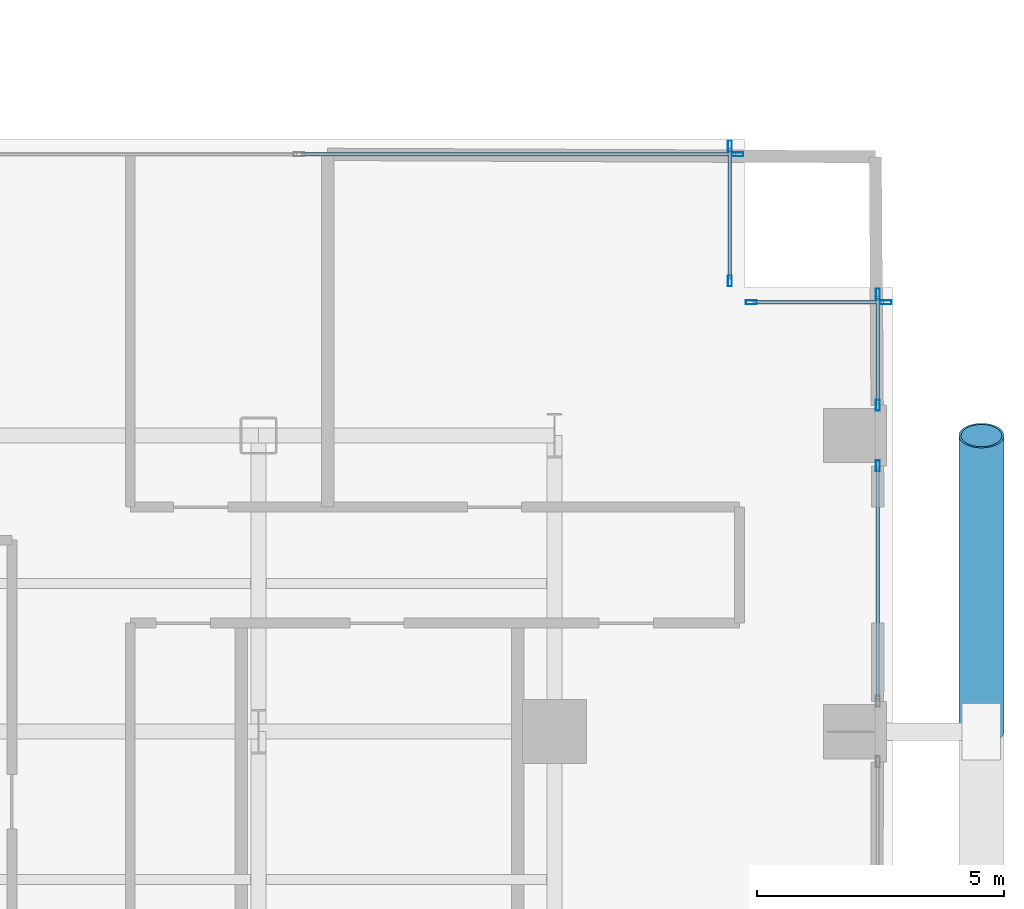
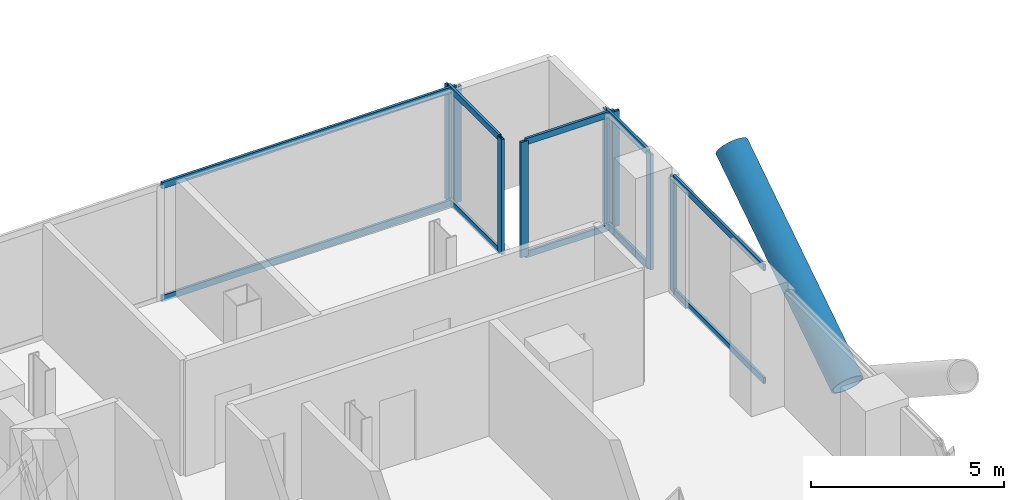
# One storey, part 12 of 25: 19 members, 5 elements without a shape of their own.
"""IFC4 building model written with IfcOpenShell, lengths in metres."""

from ifc_helpers import new_model, si_unit, direction, frame, origin, origin_2d, place, context, subcontext, project, spatial, hollow_rectangle, hollow_circle, extrude, material, layer, layer_set, material_profile, profile_set, type_object, element, aggregate, save


model = new_model("IFC4")

# Units and contexts
model_context = context("Model", 3, precision=1e-05, world=origin(), true_north=direction((0.0, 1.0)))
body_context = subcontext(model_context, "Body", "Model", "MODEL_VIEW")
ifc_project = project(units=[si_unit("LENGTHUNIT", "METRE"), si_unit("AREAUNIT", "SQUARE_METRE"), si_unit("VOLUMEUNIT", "CUBIC_METRE"), si_unit("PLANEANGLEUNIT", "RADIAN"), si_unit("MASSUNIT", "GRAM", prefix="KILO"), si_unit("THERMODYNAMICTEMPERATUREUNIT", "KELVIN"), si_unit("POWERUNIT", "WATT")], contexts=[model_context])

# Site, building, storey
site_placement = place(None, origin())
site = spatial("IfcSite", under=ifc_project, at=site_placement, CompositionType="ELEMENT")
building_placement = place(site_placement, origin())
building = spatial("IfcBuilding", under=site, at=building_placement, Name="Svarakhadi Broadcast Tower", CompositionType="ELEMENT")
storey_placement = place(building_placement, frame((0.0, 0.0, 83.10009765625)))
storey = spatial("IfcBuildingStorey", under=building, at=storey_placement, Name="L19", CompositionType="ELEMENT", Elevation=83.10009765625)

# Curtain wall, member
ifc_material_1 = material(Name="Anodised Bronze Aluminium AA 6063-T6", Category="aluminium")
ifc_layer = layer(ifc_material_1, 0.219970703125)
ifc_layer_set = layer_set([ifc_layer], Name="Anodised Bronze Aluminium AA 6063-T6")
curtain_wall_type = type_object("IfcCurtainWallType", Name="CW_Sys_02", PredefinedType="NOTDEFINED", material=ifc_layer_set)
curtain_wall_1_placement = place(storey_placement, origin())
curtain_wall_1 = element("IfcCurtainWall", 1, at=curtain_wall_1_placement, inside=storey, type_object=curtain_wall_type, Name="L19 Unitised Facade Curtain Wall 10", PredefinedType="NOTDEFINED")
ifc_material_profile_1 = material_profile(ifc_material_1, hollow_rectangle(XDim=0.0849609375, YDim=0.219970703125, WallThickness=0.006103515625, at=origin_2d()), Name="ALU MULLION 220x85x6")
ifc_profile_set_1 = profile_set([ifc_material_profile_1], Name="Anodised Bronze Aluminium AA 6063-T6")
member_type_1 = type_object("IfcMemberType", Name="CW_Sys_02_Mul", PredefinedType="MULLION", material=ifc_profile_set_1)
member_1_placement = place(storey_placement, frame((50.867431640625, 23.699951171875, 0.0), z_axis=(0.0, 0.0, 1.0), x_axis=(0.0, 1.0, 0.0)))
member_1 = element("IfcMember", 2, at=member_1_placement, type_object=member_type_1, Name="CW-02 mullion 4", PredefinedType="MULLION", context=body_context, shape_type="SweptSolid", body=[
    extrude(hollow_rectangle(XDim=0.0849609375, YDim=0.219970703125, WallThickness=0.006103515625, at=origin_2d()), origin(), (0.0, 0.0, 1.0), 3.64990234375),
])

# Curtain wall, members
curtain_wall_2_placement = place(storey_placement, origin())
curtain_wall_2 = element("IfcCurtainWall", 3, at=curtain_wall_2_placement, inside=storey, type_object=curtain_wall_type, Name="L19 Unitised Facade Curtain Wall 11", PredefinedType="NOTDEFINED")
member_2_placement = place(storey_placement, frame((50.699951171875, 23.867431640625, 0.0), z_axis=(0.0, 0.0, 1.0), x_axis=(1.0, 0.0, 0.0)))
member_2 = element("IfcMember", 4, at=member_2_placement, type_object=member_type_1, Name="CW-02 mullion 1", PredefinedType="MULLION", context=body_context, shape_type="SweptSolid", body=[
    extrude(hollow_rectangle(XDim=0.0849609375, YDim=0.219970703125, WallThickness=0.006103515625, at=origin_2d()), origin(), (0.0, 0.0, 1.0), 3.64990234375),
])
member_3_placement = place(storey_placement, frame((50.699951171875, 21.132568359375, 0.0), z_axis=(0.0, 0.0, 1.0), x_axis=(1.0, 0.0, 0.0)))
member_3 = element("IfcMember", 5, at=member_3_placement, type_object=member_type_1, Name="CW-02 mullion 2", PredefinedType="MULLION", context=body_context, shape_type="SweptSolid", body=[
    extrude(hollow_rectangle(XDim=0.0849609375, YDim=0.219970703125, WallThickness=0.006103515625, at=origin_2d()), origin(), (0.0, 0.0, 1.0), 3.64990234375),
])

curtain_wall_3_placement = place(storey_placement, origin())
curtain_wall_3 = element("IfcCurtainWall", 6, at=curtain_wall_3_placement, inside=storey, type_object=curtain_wall_type, Name="L19 Unitised Facade Curtain Wall 12", PredefinedType="NOTDEFINED")
member_4_placement = place(storey_placement, frame((51.132568359375, 20.699951171875, 0.0), z_axis=(0.0, 0.0, 1.0), x_axis=(0.0, 1.0, 0.0)))
member_4 = element("IfcMember", 7, at=member_4_placement, type_object=member_type_1, Name="CW-02 mullion 1", PredefinedType="MULLION", context=body_context, shape_type="SweptSolid", body=[
    extrude(hollow_rectangle(XDim=0.0849609375, YDim=0.219970703125, WallThickness=0.006103515625, at=origin_2d()), origin(), (0.0, 0.0, 1.0), 3.64990234375),
])
member_5_placement = place(storey_placement, frame((53.867431640625, 20.699951171875, 0.0), z_axis=(0.0, 0.0, 1.0), x_axis=(0.0, 1.0, 0.0)))
member_5 = element("IfcMember", 8, at=member_5_placement, type_object=member_type_1, Name="CW-02 mullion 2", PredefinedType="MULLION", context=body_context, shape_type="SweptSolid", body=[
    extrude(hollow_rectangle(XDim=0.0849609375, YDim=0.219970703125, WallThickness=0.006103515625, at=origin_2d()), origin(), (0.0, 0.0, 1.0), 3.64990234375),
])

curtain_wall_4_placement = place(storey_placement, origin())
curtain_wall_4 = element("IfcCurtainWall", 9, at=curtain_wall_4_placement, inside=storey, type_object=curtain_wall_type, Name="L19 Unitised Facade Curtain Wall 13 Bay 1", PredefinedType="NOTDEFINED")
member_6_placement = place(storey_placement, frame((53.699951171875, 20.867431640625, 0.0), z_axis=(0.0, 0.0, 1.0), x_axis=(1.0, 0.0, 0.0)))
member_6 = element("IfcMember", 10, at=member_6_placement, type_object=member_type_1, Name="CW-02 mullion 1", PredefinedType="MULLION", context=body_context, shape_type="SweptSolid", body=[
    extrude(hollow_rectangle(XDim=0.0849609375, YDim=0.219970703125, WallThickness=0.006103515625, at=origin_2d()), origin(), (0.0, 0.0, 1.0), 3.64990234375),
])
member_7_placement = place(storey_placement, frame((53.699951171875, 18.612548828125, 0.0), z_axis=(0.0, 0.0, 1.0), x_axis=(1.0, 0.0, 0.0)))
member_7 = element("IfcMember", 11, at=member_7_placement, type_object=member_type_1, Name="CW-02 mullion 2", PredefinedType="MULLION", context=body_context, shape_type="SweptSolid", body=[
    extrude(hollow_rectangle(XDim=0.0849609375, YDim=0.219970703125, WallThickness=0.006103515625, at=origin_2d()), origin(), (0.0, 0.0, 1.0), 3.64990234375),
])

# Curtain wall, member
curtain_wall_5_placement = place(storey_placement, origin())
curtain_wall_5 = element("IfcCurtainWall", 12, at=curtain_wall_5_placement, inside=storey, type_object=curtain_wall_type, Name="L19 Unitised Facade Curtain Wall 13 Bay 2", PredefinedType="NOTDEFINED")
member_8_placement = place(storey_placement, frame((53.699951171875, 17.387451171875, 0.0), z_axis=(0.0, 0.0, 1.0), x_axis=(1.0, 0.0, 0.0)))
member_8 = element("IfcMember", 13, at=member_8_placement, type_object=member_type_1, Name="CW-02 mullion 1", PredefinedType="MULLION", context=body_context, shape_type="SweptSolid", body=[
    extrude(hollow_rectangle(XDim=0.0849609375, YDim=0.219970703125, WallThickness=0.006103515625, at=origin_2d()), origin(), (0.0, 0.0, 1.0), 3.64990234375),
])

# Member
ifc_material_profile_2 = material_profile(ifc_material_1, hollow_rectangle(XDim=0.074951171875, YDim=0.199951171875, WallThickness=0.0048828125, at=origin_2d()), Name="ALU TRANSOM 200x75x5")
ifc_profile_set_2 = profile_set([ifc_material_profile_2], Name="Anodised Bronze Aluminium AA 6063-T6")
member_type_2 = type_object("IfcMemberType", Name="CW_Sys_02_Trn", PredefinedType="USERDEFINED", material=ifc_profile_set_2)
member_9_placement = place(storey_placement, frame((42.012451171875, 23.699951171875, 0.037353515625), z_axis=(1.0, 0.0, 0.0), x_axis=(0.0, 1.0, 0.0)))
member_9 = element("IfcMember", 14, at=member_9_placement, type_object=member_type_2, Name="CW-02 transom 3.1", ObjectType="TRANSOM", PredefinedType="USERDEFINED", context=body_context, shape_type="SweptSolid", body=[
    extrude(hollow_rectangle(XDim=0.074951171875, YDim=0.199951171875, WallThickness=0.0048828125, at=origin_2d()), origin(), (0.0, 0.0, 1.0), 8.8125),
])

member_10_placement = place(storey_placement, frame((42.012451171875, 23.699951171875, 3.6123046875), z_axis=(1.0, 0.0, 0.0), x_axis=(0.0, 1.0, 0.0)))
member_10 = element("IfcMember", 15, at=member_10_placement, type_object=member_type_2, Name="CW-02 transom 3.2", ObjectType="TRANSOM", PredefinedType="USERDEFINED", context=body_context, shape_type="SweptSolid", body=[
    extrude(hollow_rectangle(XDim=0.074951171875, YDim=0.199951171875, WallThickness=0.0048828125, at=origin_2d()), origin(), (0.0, 0.0, 1.0), 8.8125),
])

aggregate(curtain_wall_1, [member_1, member_9, member_10])

member_11_placement = place(storey_placement, frame((50.699951171875, 23.824951171875, 0.037353515625), z_axis=(0.0, -1.0, 0.0), x_axis=(1.0, 0.0, 0.0)))
member_11 = element("IfcMember", 16, at=member_11_placement, type_object=member_type_2, Name="CW-02 transom 1.1", ObjectType="TRANSOM", PredefinedType="USERDEFINED", context=body_context, shape_type="SweptSolid", body=[
    extrude(hollow_rectangle(XDim=0.074951171875, YDim=0.199951171875, WallThickness=0.0048828125, at=origin_2d()), origin(), (0.0, 0.0, 1.0), 2.64990234375),
])

member_12_placement = place(storey_placement, frame((50.699951171875, 23.824951171875, 3.6123046875), z_axis=(0.0, -1.0, 0.0), x_axis=(1.0, 0.0, 0.0)))
member_12 = element("IfcMember", 17, at=member_12_placement, type_object=member_type_2, Name="CW-02 transom 1.2", ObjectType="TRANSOM", PredefinedType="USERDEFINED", context=body_context, shape_type="SweptSolid", body=[
    extrude(hollow_rectangle(XDim=0.074951171875, YDim=0.199951171875, WallThickness=0.0048828125, at=origin_2d()), origin(), (0.0, 0.0, 1.0), 2.64990234375),
])

aggregate(curtain_wall_2, [member_2, member_3, member_11, member_12])

member_13_placement = place(storey_placement, frame((51.175048828125, 20.699951171875, 0.037353515625), z_axis=(1.0, 0.0, 0.0), x_axis=(0.0, 1.0, 0.0)))
member_13 = element("IfcMember", 18, at=member_13_placement, type_object=member_type_2, Name="CW-02 transom 1.1", ObjectType="TRANSOM", PredefinedType="USERDEFINED", context=body_context, shape_type="SweptSolid", body=[
    extrude(hollow_rectangle(XDim=0.074951171875, YDim=0.199951171875, WallThickness=0.0048828125, at=origin_2d()), origin(), (0.0, 0.0, 1.0), 2.64990234375),
])

member_14_placement = place(storey_placement, frame((51.175048828125, 20.699951171875, 3.6123046875), z_axis=(1.0, 0.0, 0.0), x_axis=(0.0, 1.0, 0.0)))
member_14 = element("IfcMember", 19, at=member_14_placement, type_object=member_type_2, Name="CW-02 transom 1.2", ObjectType="TRANSOM", PredefinedType="USERDEFINED", context=body_context, shape_type="SweptSolid", body=[
    extrude(hollow_rectangle(XDim=0.074951171875, YDim=0.199951171875, WallThickness=0.0048828125, at=origin_2d()), origin(), (0.0, 0.0, 1.0), 2.64990234375),
])

aggregate(curtain_wall_3, [member_4, member_5, member_13, member_14])

member_15_placement = place(storey_placement, frame((53.699951171875, 20.824951171875, 0.037353515625), z_axis=(0.0, -1.0, 0.0), x_axis=(1.0, 0.0, 0.0)))
member_15 = element("IfcMember", 20, at=member_15_placement, type_object=member_type_2, Name="CW-02 transom 1.1", ObjectType="TRANSOM", PredefinedType="USERDEFINED", context=body_context, shape_type="SweptSolid", body=[
    extrude(hollow_rectangle(XDim=0.074951171875, YDim=0.199951171875, WallThickness=0.0048828125, at=origin_2d()), origin(), (0.0, 0.0, 1.0), 2.169921875),
])

member_16_placement = place(storey_placement, frame((53.699951171875, 20.824951171875, 3.6123046875), z_axis=(0.0, -1.0, 0.0), x_axis=(1.0, 0.0, 0.0)))
member_16 = element("IfcMember", 21, at=member_16_placement, type_object=member_type_2, Name="CW-02 transom 1.2", ObjectType="TRANSOM", PredefinedType="USERDEFINED", context=body_context, shape_type="SweptSolid", body=[
    extrude(hollow_rectangle(XDim=0.074951171875, YDim=0.199951171875, WallThickness=0.0048828125, at=origin_2d()), origin(), (0.0, 0.0, 1.0), 2.169921875),
])

aggregate(curtain_wall_4, [member_6, member_7, member_15, member_16])

member_17_placement = place(storey_placement, frame((53.699951171875, 17.344970703125, 0.037353515625), z_axis=(0.0, -1.0, 0.0), x_axis=(1.0, 0.0, 0.0)))
member_17 = element("IfcMember", 22, at=member_17_placement, type_object=member_type_2, Name="CW-02 transom 1.1", ObjectType="TRANSOM", PredefinedType="USERDEFINED", context=body_context, shape_type="SweptSolid", body=[
    extrude(hollow_rectangle(XDim=0.074951171875, YDim=0.199951171875, WallThickness=0.0048828125, at=origin_2d()), origin(), (0.0, 0.0, 1.0), 4.68994140625),
])

member_18_placement = place(storey_placement, frame((53.699951171875, 17.344970703125, 3.6123046875), z_axis=(0.0, -1.0, 0.0), x_axis=(1.0, 0.0, 0.0)))
member_18 = element("IfcMember", 23, at=member_18_placement, type_object=member_type_2, Name="CW-02 transom 1.2", ObjectType="TRANSOM", PredefinedType="USERDEFINED", context=body_context, shape_type="SweptSolid", body=[
    extrude(hollow_rectangle(XDim=0.074951171875, YDim=0.199951171875, WallThickness=0.0048828125, at=origin_2d()), origin(), (0.0, 0.0, 1.0), 4.68994140625),
])

aggregate(curtain_wall_5, [member_8, member_17, member_18])

ifc_material_2 = material(Name="Steel S460ML (IS 2062 E450BR)", Category="steel")
ifc_material_profile_3 = material_profile(ifc_material_2, hollow_circle(Radius=0.45703125, WallThickness=0.044921875, at=origin_2d()), Name="CHS 914x45")
ifc_profile_set_3 = profile_set([ifc_material_profile_3], Name="Steel S460ML (IS 2062 E450BR)")
member_type_3 = type_object("IfcMemberType", Name="Exo_Brace_CHS914", PredefinedType="BRACE", material=ifc_profile_set_3)
member_19_placement = place(storey_placement, frame((55.800048828125, 12.0, -0.427978515625), z_axis=(0.0, 0.838434262763, 0.545002740383), x_axis=(-1.0, 0.0, 0.0)))
element("IfcMember", 24, at=member_19_placement, inside=storey, type_object=member_type_3, Name="L19 Exposed Bronze Exoskeleton Diagonal E09", PredefinedType="BRACE", context=body_context, shape_type="SweptSolid", body=[
    extrude(hollow_circle(Radius=0.45703125, WallThickness=0.044921875, at=origin_2d()), origin(), (0.0, 0.0, 1.0), 7.15625),
])

save(model, "model.ifc")
